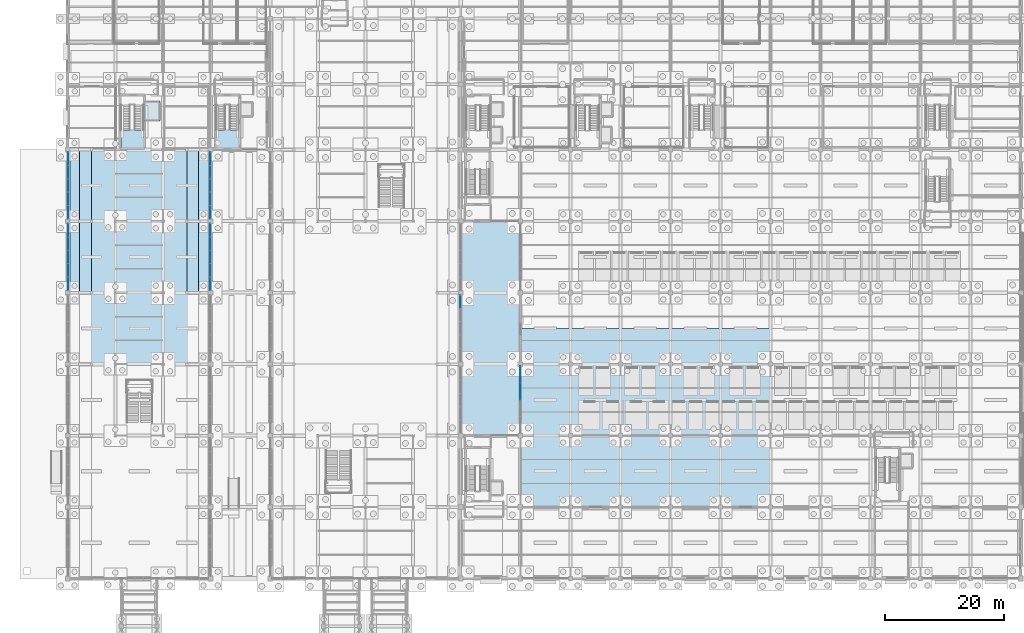
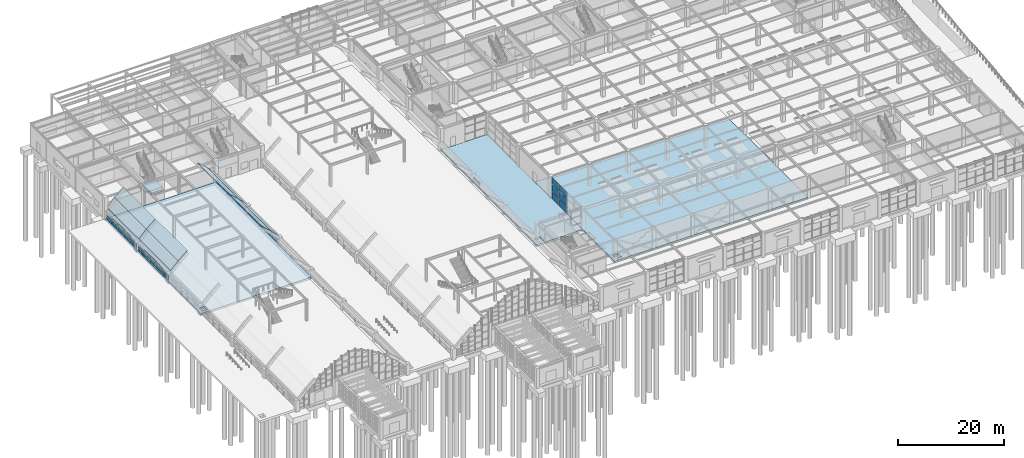
# One storey, part 87 of 129: 47 plates, 14 slabs, 8 elements without a shape of their own.
"""IFC4 building model written with IfcOpenShell, lengths in metres."""

from ifc_helpers import new_model, si_unit, direction, frame, origin, origin_2d, place, context, subcontext, project, spatial, polyline, rectangle, outline, extrude, material, layer, layer_set, type_object, element, aggregate, save


model = new_model("IFC4")

# Units and contexts
model_context = context("Model", 3, precision=1e-05, world=origin(), true_north=direction((0.0, 1.0)))
body_context = subcontext(model_context, "Body", "Model", "MODEL_VIEW")
ifc_project = project(units=[si_unit("LENGTHUNIT", "METRE"), si_unit("AREAUNIT", "SQUARE_METRE"), si_unit("VOLUMEUNIT", "CUBIC_METRE"), si_unit("PLANEANGLEUNIT", "RADIAN"), si_unit("MASSUNIT", "GRAM", prefix="KILO")], contexts=[model_context])

# Site, building, storey
site_placement = place(None, origin())
site = spatial("IfcSite", under=ifc_project, at=site_placement, CompositionType="ELEMENT")
building_placement = place(site_placement, origin())
building = spatial("IfcBuilding", under=site, at=building_placement, Name="Sitalva Quay Ferry Terminal", CompositionType="ELEMENT")
storey_placement = place(building_placement, origin())
storey = spatial("IfcBuildingStorey", under=building, at=storey_placement, Name="L01", CompositionType="ELEMENT", Elevation=0.0)

# Curtain wall, plates
ifc_material_1 = material(Name="Anodised Aluminium & Low-E Glazing", Category="aluminium")
ifc_layer_1 = layer(ifc_material_1, 0.159912109375)
ifc_layer_set_1 = layer_set([ifc_layer_1], Name="Anodised Aluminium & Low-E Glazing")
curtain_wall_type_1 = type_object("IfcCurtainWallType", Name="CW_VaultArch_Glazed", PredefinedType="USERDEFINED", material=ifc_layer_set_1)
curtain_wall_1_placement = place(storey_placement, origin())
curtain_wall_1 = element("IfcCurtainWall", 1, at=curtain_wall_1_placement, inside=storey, type_object=curtain_wall_type_1, Name="V2-W shallow-arch base glazing (CW-L01-024)", ObjectType="CURTAIN_WALL", PredefinedType="USERDEFINED")
ifc_material_2 = material(Name="Clear Low-Iron Arch Glazing", Category="glass")
ifc_layer_2 = layer(ifc_material_2, 0.02587890625)
ifc_layer_set_2 = layer_set([ifc_layer_2], Name="Clear Low-Iron Arch Glazing")
plate_type_1 = type_object("IfcPlateType", Name="Panel_Arch_IGU_26", PredefinedType="CURTAIN_PANEL", material=ifc_layer_set_2)
plate_1_placement = place(storey_placement, frame((8.080078125, 55.52001953125, 0.155029296875), z_axis=(0.0, 0.0, 1.0), x_axis=(0.0, 1.0, 0.0)))
plate_1 = element("IfcPlate", 2, at=plate_1_placement, type_object=plate_type_1, Name="CW-L01-024-P0-0", PredefinedType="CURTAIN_PANEL", context=body_context, shape_type="SweptSolid", body=[
    extrude(rectangle(XDim=2.169921875, YDim=0.02587890625, at=origin_2d()), origin(), (0.0, 0.0, 1.0), 0.544921875),
])
plate_2_placement = place(storey_placement, frame((8.080078125, 55.52001953125, 0.85498046875), z_axis=(0.0, 0.0, 1.0), x_axis=(0.0, 1.0, 0.0)))
plate_2 = element("IfcPlate", 3, at=plate_2_placement, type_object=plate_type_1, Name="CW-L01-024-P0-1", PredefinedType="CURTAIN_PANEL", context=body_context, shape_type="SweptSolid", body=[
    extrude(rectangle(XDim=2.169921875, YDim=0.02587890625, at=origin_2d()), origin(), (0.0, 0.0, 1.0), 0.389892578125),
])
plate_3_placement = place(storey_placement, frame((8.080078125, 57.760009765625, 0.1552734375), z_axis=(0.0, 0.0, 1.0), x_axis=(0.0, 1.0, 0.0)))
plate_3 = element("IfcPlate", 4, at=plate_3_placement, type_object=plate_type_1, Name="CW-L01-024-P1-0", PredefinedType="CURTAIN_PANEL", context=body_context, shape_type="SweptSolid", body=[
    extrude(rectangle(XDim=2.169921875, YDim=0.02587890625, at=origin_2d()), origin(), (0.0, 0.0, 1.0), 0.698486328125),
])
plate_4_placement = place(storey_placement, frame((8.080078125, 57.760009765625, 1.0087890625), z_axis=(0.0, 0.0, 1.0), x_axis=(0.0, 1.0, 0.0)))
plate_4 = element("IfcPlate", 5, at=plate_4_placement, type_object=plate_type_1, Name="CW-L01-024-P1-1", PredefinedType="CURTAIN_PANEL", context=body_context, shape_type="SweptSolid", body=[
    extrude(rectangle(XDim=2.169921875, YDim=0.02587890625, at=origin_2d()), origin(), (0.0, 0.0, 1.0), 0.543701171875),
])
plate_5_placement = place(storey_placement, frame((8.080078125, 60.0, 0.155029296875), z_axis=(0.0, 0.0, 1.0), x_axis=(0.0, 1.0, 0.0)))
plate_5 = element("IfcPlate", 6, at=plate_5_placement, type_object=plate_type_1, Name="CW-L01-024-P2-0", PredefinedType="CURTAIN_PANEL", context=body_context, shape_type="SweptSolid", body=[
    extrude(rectangle(XDim=2.169921875, YDim=0.02587890625, at=origin_2d()), origin(), (0.0, 0.0, 1.0), 0.775390625),
])
plate_6_placement = place(storey_placement, frame((8.080078125, 60.0, 1.08544921875), z_axis=(0.0, 0.0, 1.0), x_axis=(0.0, 1.0, 0.0)))
plate_6 = element("IfcPlate", 7, at=plate_6_placement, type_object=plate_type_1, Name="CW-L01-024-P2-1", PredefinedType="CURTAIN_PANEL", context=body_context, shape_type="SweptSolid", body=[
    extrude(rectangle(XDim=2.169921875, YDim=0.02587890625, at=origin_2d()), origin(), (0.0, 0.0, 1.0), 0.620361328125),
])
plate_7_placement = place(storey_placement, frame((8.080078125, 62.239990234375, 0.1552734375), z_axis=(0.0, 0.0, 1.0), x_axis=(0.0, 1.0, 0.0)))
plate_7 = element("IfcPlate", 8, at=plate_7_placement, type_object=plate_type_1, Name="CW-L01-024-P3-0", PredefinedType="CURTAIN_PANEL", context=body_context, shape_type="SweptSolid", body=[
    extrude(rectangle(XDim=2.169921875, YDim=0.02587890625, at=origin_2d()), origin(), (0.0, 0.0, 1.0), 0.698486328125),
])
plate_8_placement = place(storey_placement, frame((8.080078125, 62.239990234375, 1.0087890625), z_axis=(0.0, 0.0, 1.0), x_axis=(0.0, 1.0, 0.0)))
plate_8 = element("IfcPlate", 9, at=plate_8_placement, type_object=plate_type_1, Name="CW-L01-024-P3-1", PredefinedType="CURTAIN_PANEL", context=body_context, shape_type="SweptSolid", body=[
    extrude(rectangle(XDim=2.169921875, YDim=0.02587890625, at=origin_2d()), origin(), (0.0, 0.0, 1.0), 0.543701171875),
])
plate_9_placement = place(storey_placement, frame((8.080078125, 64.47998046875, 0.155029296875), z_axis=(0.0, 0.0, 1.0), x_axis=(0.0, 1.0, 0.0)))
plate_9 = element("IfcPlate", 10, at=plate_9_placement, type_object=plate_type_1, Name="CW-L01-024-P4-0", PredefinedType="CURTAIN_PANEL", context=body_context, shape_type="SweptSolid", body=[
    extrude(rectangle(XDim=2.169921875, YDim=0.02587890625, at=origin_2d()), origin(), (0.0, 0.0, 1.0), 0.544921875),
])
plate_10_placement = place(storey_placement, frame((8.080078125, 64.47998046875, 0.85498046875), z_axis=(0.0, 0.0, 1.0), x_axis=(0.0, 1.0, 0.0)))
plate_10 = element("IfcPlate", 11, at=plate_10_placement, type_object=plate_type_1, Name="CW-L01-024-P4-1", PredefinedType="CURTAIN_PANEL", context=body_context, shape_type="SweptSolid", body=[
    extrude(rectangle(XDim=2.169921875, YDim=0.02587890625, at=origin_2d()), origin(), (0.0, 0.0, 1.0), 0.389892578125),
])
aggregate(curtain_wall_1, [plate_1, plate_2, plate_3, plate_4, plate_5, plate_6, plate_7, plate_8, plate_9, plate_10])

curtain_wall_2_placement = place(storey_placement, origin())
curtain_wall_2 = element("IfcCurtainWall", 12, at=curtain_wall_2_placement, inside=storey, type_object=curtain_wall_type_1, Name="V2-E shallow-arch base glazing (CW-L01-025)", ObjectType="CURTAIN_WALL", PredefinedType="USERDEFINED")
plate_11_placement = place(storey_placement, frame((31.919921875, 55.52001953125, 0.155029296875), z_axis=(0.0, 0.0, 1.0), x_axis=(0.0, 1.0, 0.0)))
plate_11 = element("IfcPlate", 13, at=plate_11_placement, type_object=plate_type_1, Name="CW-L01-025-P0-0", PredefinedType="CURTAIN_PANEL", context=body_context, shape_type="SweptSolid", body=[
    extrude(rectangle(XDim=2.169921875, YDim=0.02587890625, at=origin_2d()), origin(), (0.0, 0.0, 1.0), 0.544921875),
])
plate_12_placement = place(storey_placement, frame((31.919921875, 55.52001953125, 0.85498046875), z_axis=(0.0, 0.0, 1.0), x_axis=(0.0, 1.0, 0.0)))
plate_12 = element("IfcPlate", 14, at=plate_12_placement, type_object=plate_type_1, Name="CW-L01-025-P0-1", PredefinedType="CURTAIN_PANEL", context=body_context, shape_type="SweptSolid", body=[
    extrude(rectangle(XDim=2.169921875, YDim=0.02587890625, at=origin_2d()), origin(), (0.0, 0.0, 1.0), 0.389892578125),
])
plate_13_placement = place(storey_placement, frame((31.919921875, 57.760009765625, 0.1552734375), z_axis=(0.0, 0.0, 1.0), x_axis=(0.0, 1.0, 0.0)))
plate_13 = element("IfcPlate", 15, at=plate_13_placement, type_object=plate_type_1, Name="CW-L01-025-P1-0", PredefinedType="CURTAIN_PANEL", context=body_context, shape_type="SweptSolid", body=[
    extrude(rectangle(XDim=2.169921875, YDim=0.02587890625, at=origin_2d()), origin(), (0.0, 0.0, 1.0), 0.698486328125),
])
plate_14_placement = place(storey_placement, frame((31.919921875, 57.760009765625, 1.0087890625), z_axis=(0.0, 0.0, 1.0), x_axis=(0.0, 1.0, 0.0)))
plate_14 = element("IfcPlate", 16, at=plate_14_placement, type_object=plate_type_1, Name="CW-L01-025-P1-1", PredefinedType="CURTAIN_PANEL", context=body_context, shape_type="SweptSolid", body=[
    extrude(rectangle(XDim=2.169921875, YDim=0.02587890625, at=origin_2d()), origin(), (0.0, 0.0, 1.0), 0.543701171875),
])
plate_15_placement = place(storey_placement, frame((31.919921875, 60.0, 0.155029296875), z_axis=(0.0, 0.0, 1.0), x_axis=(0.0, 1.0, 0.0)))
plate_15 = element("IfcPlate", 17, at=plate_15_placement, type_object=plate_type_1, Name="CW-L01-025-P2-0", PredefinedType="CURTAIN_PANEL", context=body_context, shape_type="SweptSolid", body=[
    extrude(rectangle(XDim=2.169921875, YDim=0.02587890625, at=origin_2d()), origin(), (0.0, 0.0, 1.0), 0.775390625),
])
plate_16_placement = place(storey_placement, frame((31.919921875, 60.0, 1.08544921875), z_axis=(0.0, 0.0, 1.0), x_axis=(0.0, 1.0, 0.0)))
plate_16 = element("IfcPlate", 18, at=plate_16_placement, type_object=plate_type_1, Name="CW-L01-025-P2-1", PredefinedType="CURTAIN_PANEL", context=body_context, shape_type="SweptSolid", body=[
    extrude(rectangle(XDim=2.169921875, YDim=0.02587890625, at=origin_2d()), origin(), (0.0, 0.0, 1.0), 0.620361328125),
])
plate_17_placement = place(storey_placement, frame((31.919921875, 62.239990234375, 0.1552734375), z_axis=(0.0, 0.0, 1.0), x_axis=(0.0, 1.0, 0.0)))
plate_17 = element("IfcPlate", 19, at=plate_17_placement, type_object=plate_type_1, Name="CW-L01-025-P3-0", PredefinedType="CURTAIN_PANEL", context=body_context, shape_type="SweptSolid", body=[
    extrude(rectangle(XDim=2.169921875, YDim=0.02587890625, at=origin_2d()), origin(), (0.0, 0.0, 1.0), 0.698486328125),
])
plate_18_placement = place(storey_placement, frame((31.919921875, 62.239990234375, 1.0087890625), z_axis=(0.0, 0.0, 1.0), x_axis=(0.0, 1.0, 0.0)))
plate_18 = element("IfcPlate", 20, at=plate_18_placement, type_object=plate_type_1, Name="CW-L01-025-P3-1", PredefinedType="CURTAIN_PANEL", context=body_context, shape_type="SweptSolid", body=[
    extrude(rectangle(XDim=2.169921875, YDim=0.02587890625, at=origin_2d()), origin(), (0.0, 0.0, 1.0), 0.543701171875),
])
plate_19_placement = place(storey_placement, frame((31.919921875, 64.47998046875, 0.155029296875), z_axis=(0.0, 0.0, 1.0), x_axis=(0.0, 1.0, 0.0)))
plate_19 = element("IfcPlate", 21, at=plate_19_placement, type_object=plate_type_1, Name="CW-L01-025-P4-0", PredefinedType="CURTAIN_PANEL", context=body_context, shape_type="SweptSolid", body=[
    extrude(rectangle(XDim=2.169921875, YDim=0.02587890625, at=origin_2d()), origin(), (0.0, 0.0, 1.0), 0.544921875),
])
plate_20_placement = place(storey_placement, frame((31.919921875, 64.47998046875, 0.85498046875), z_axis=(0.0, 0.0, 1.0), x_axis=(0.0, 1.0, 0.0)))
plate_20 = element("IfcPlate", 22, at=plate_20_placement, type_object=plate_type_1, Name="CW-L01-025-P4-1", PredefinedType="CURTAIN_PANEL", context=body_context, shape_type="SweptSolid", body=[
    extrude(rectangle(XDim=2.169921875, YDim=0.02587890625, at=origin_2d()), origin(), (0.0, 0.0, 1.0), 0.389892578125),
])
aggregate(curtain_wall_2, [plate_11, plate_12, plate_13, plate_14, plate_15, plate_16, plate_17, plate_18, plate_19, plate_20])

curtain_wall_3_placement = place(storey_placement, origin())
curtain_wall_3 = element("IfcCurtainWall", 23, at=curtain_wall_3_placement, inside=storey, type_object=curtain_wall_type_1, Name="V2-W shallow-arch base glazing (CW-L01-027)", ObjectType="CURTAIN_WALL", PredefinedType="USERDEFINED")
plate_21_placement = place(storey_placement, frame((8.080078125, 67.52001953125, 0.155029296875), z_axis=(0.0, 0.0, 1.0), x_axis=(0.0, 1.0, 0.0)))
plate_21 = element("IfcPlate", 24, at=plate_21_placement, type_object=plate_type_1, Name="CW-L01-027-P0-0", PredefinedType="CURTAIN_PANEL", context=body_context, shape_type="SweptSolid", body=[
    extrude(rectangle(XDim=2.169921875, YDim=0.02587890625, at=origin_2d()), origin(), (0.0, 0.0, 1.0), 0.544921875),
])
plate_22_placement = place(storey_placement, frame((8.080078125, 67.52001953125, 0.85498046875), z_axis=(0.0, 0.0, 1.0), x_axis=(0.0, 1.0, 0.0)))
plate_22 = element("IfcPlate", 25, at=plate_22_placement, type_object=plate_type_1, Name="CW-L01-027-P0-1", PredefinedType="CURTAIN_PANEL", context=body_context, shape_type="SweptSolid", body=[
    extrude(rectangle(XDim=2.169921875, YDim=0.02587890625, at=origin_2d()), origin(), (0.0, 0.0, 1.0), 0.389892578125),
])
plate_23_placement = place(storey_placement, frame((8.080078125, 69.760009765625, 0.1552734375), z_axis=(0.0, 0.0, 1.0), x_axis=(0.0, 1.0, 0.0)))
plate_23 = element("IfcPlate", 26, at=plate_23_placement, type_object=plate_type_1, Name="CW-L01-027-P1-0", PredefinedType="CURTAIN_PANEL", context=body_context, shape_type="SweptSolid", body=[
    extrude(rectangle(XDim=2.169921875, YDim=0.02587890625, at=origin_2d()), origin(), (0.0, 0.0, 1.0), 0.698486328125),
])
plate_24_placement = place(storey_placement, frame((8.080078125, 69.760009765625, 1.0087890625), z_axis=(0.0, 0.0, 1.0), x_axis=(0.0, 1.0, 0.0)))
plate_24 = element("IfcPlate", 27, at=plate_24_placement, type_object=plate_type_1, Name="CW-L01-027-P1-1", PredefinedType="CURTAIN_PANEL", context=body_context, shape_type="SweptSolid", body=[
    extrude(rectangle(XDim=2.169921875, YDim=0.02587890625, at=origin_2d()), origin(), (0.0, 0.0, 1.0), 0.543701171875),
])
plate_25_placement = place(storey_placement, frame((8.080078125, 72.0, 0.155029296875), z_axis=(0.0, 0.0, 1.0), x_axis=(0.0, 1.0, 0.0)))
plate_25 = element("IfcPlate", 28, at=plate_25_placement, type_object=plate_type_1, Name="CW-L01-027-P2-0", PredefinedType="CURTAIN_PANEL", context=body_context, shape_type="SweptSolid", body=[
    extrude(rectangle(XDim=2.169921875, YDim=0.02587890625, at=origin_2d()), origin(), (0.0, 0.0, 1.0), 0.775390625),
])
plate_26_placement = place(storey_placement, frame((8.080078125, 72.0, 1.08544921875), z_axis=(0.0, 0.0, 1.0), x_axis=(0.0, 1.0, 0.0)))
plate_26 = element("IfcPlate", 29, at=plate_26_placement, type_object=plate_type_1, Name="CW-L01-027-P2-1", PredefinedType="CURTAIN_PANEL", context=body_context, shape_type="SweptSolid", body=[
    extrude(rectangle(XDim=2.169921875, YDim=0.02587890625, at=origin_2d()), origin(), (0.0, 0.0, 1.0), 0.620361328125),
])
plate_27_placement = place(storey_placement, frame((8.080078125, 74.239990234375, 0.1552734375), z_axis=(0.0, 0.0, 1.0), x_axis=(0.0, 1.0, 0.0)))
plate_27 = element("IfcPlate", 30, at=plate_27_placement, type_object=plate_type_1, Name="CW-L01-027-P3-0", PredefinedType="CURTAIN_PANEL", context=body_context, shape_type="SweptSolid", body=[
    extrude(rectangle(XDim=2.169921875, YDim=0.02587890625, at=origin_2d()), origin(), (0.0, 0.0, 1.0), 0.698486328125),
])
plate_28_placement = place(storey_placement, frame((8.080078125, 74.239990234375, 1.0087890625), z_axis=(0.0, 0.0, 1.0), x_axis=(0.0, 1.0, 0.0)))
plate_28 = element("IfcPlate", 31, at=plate_28_placement, type_object=plate_type_1, Name="CW-L01-027-P3-1", PredefinedType="CURTAIN_PANEL", context=body_context, shape_type="SweptSolid", body=[
    extrude(rectangle(XDim=2.169921875, YDim=0.02587890625, at=origin_2d()), origin(), (0.0, 0.0, 1.0), 0.543701171875),
])
plate_29_placement = place(storey_placement, frame((8.080078125, 76.47998046875, 0.155029296875), z_axis=(0.0, 0.0, 1.0), x_axis=(0.0, 1.0, 0.0)))
plate_29 = element("IfcPlate", 32, at=plate_29_placement, type_object=plate_type_1, Name="CW-L01-027-P4-0", PredefinedType="CURTAIN_PANEL", context=body_context, shape_type="SweptSolid", body=[
    extrude(rectangle(XDim=2.169921875, YDim=0.02587890625, at=origin_2d()), origin(), (0.0, 0.0, 1.0), 0.544921875),
])
plate_30_placement = place(storey_placement, frame((8.080078125, 76.47998046875, 0.85498046875), z_axis=(0.0, 0.0, 1.0), x_axis=(0.0, 1.0, 0.0)))
plate_30 = element("IfcPlate", 33, at=plate_30_placement, type_object=plate_type_1, Name="CW-L01-027-P4-1", PredefinedType="CURTAIN_PANEL", context=body_context, shape_type="SweptSolid", body=[
    extrude(rectangle(XDim=2.169921875, YDim=0.02587890625, at=origin_2d()), origin(), (0.0, 0.0, 1.0), 0.389892578125),
])
aggregate(curtain_wall_3, [plate_21, plate_22, plate_23, plate_24, plate_25, plate_26, plate_27, plate_28, plate_29, plate_30])

curtain_wall_4_placement = place(storey_placement, origin())
curtain_wall_4 = element("IfcCurtainWall", 34, at=curtain_wall_4_placement, inside=storey, type_object=curtain_wall_type_1, Name="V2-E shallow-arch base glazing (CW-L01-028)", ObjectType="CURTAIN_WALL", PredefinedType="USERDEFINED")
plate_31_placement = place(storey_placement, frame((31.919921875, 67.52001953125, 0.155029296875), z_axis=(0.0, 0.0, 1.0), x_axis=(0.0, 1.0, 0.0)))
plate_31 = element("IfcPlate", 35, at=plate_31_placement, type_object=plate_type_1, Name="CW-L01-028-P0-0", PredefinedType="CURTAIN_PANEL", context=body_context, shape_type="SweptSolid", body=[
    extrude(rectangle(XDim=2.169921875, YDim=0.02587890625, at=origin_2d()), origin(), (0.0, 0.0, 1.0), 0.544921875),
])
plate_32_placement = place(storey_placement, frame((31.919921875, 67.52001953125, 0.85498046875), z_axis=(0.0, 0.0, 1.0), x_axis=(0.0, 1.0, 0.0)))
plate_32 = element("IfcPlate", 36, at=plate_32_placement, type_object=plate_type_1, Name="CW-L01-028-P0-1", PredefinedType="CURTAIN_PANEL", context=body_context, shape_type="SweptSolid", body=[
    extrude(rectangle(XDim=2.169921875, YDim=0.02587890625, at=origin_2d()), origin(), (0.0, 0.0, 1.0), 0.389892578125),
])
plate_33_placement = place(storey_placement, frame((31.919921875, 69.760009765625, 0.1552734375), z_axis=(0.0, 0.0, 1.0), x_axis=(0.0, 1.0, 0.0)))
plate_33 = element("IfcPlate", 37, at=plate_33_placement, type_object=plate_type_1, Name="CW-L01-028-P1-0", PredefinedType="CURTAIN_PANEL", context=body_context, shape_type="SweptSolid", body=[
    extrude(rectangle(XDim=2.169921875, YDim=0.02587890625, at=origin_2d()), origin(), (0.0, 0.0, 1.0), 0.698486328125),
])
plate_34_placement = place(storey_placement, frame((31.919921875, 69.760009765625, 1.0087890625), z_axis=(0.0, 0.0, 1.0), x_axis=(0.0, 1.0, 0.0)))
plate_34 = element("IfcPlate", 38, at=plate_34_placement, type_object=plate_type_1, Name="CW-L01-028-P1-1", PredefinedType="CURTAIN_PANEL", context=body_context, shape_type="SweptSolid", body=[
    extrude(rectangle(XDim=2.169921875, YDim=0.02587890625, at=origin_2d()), origin(), (0.0, 0.0, 1.0), 0.543701171875),
])
plate_35_placement = place(storey_placement, frame((31.919921875, 72.0, 0.155029296875), z_axis=(0.0, 0.0, 1.0), x_axis=(0.0, 1.0, 0.0)))
plate_35 = element("IfcPlate", 39, at=plate_35_placement, type_object=plate_type_1, Name="CW-L01-028-P2-0", PredefinedType="CURTAIN_PANEL", context=body_context, shape_type="SweptSolid", body=[
    extrude(rectangle(XDim=2.169921875, YDim=0.02587890625, at=origin_2d()), origin(), (0.0, 0.0, 1.0), 0.775390625),
])
plate_36_placement = place(storey_placement, frame((31.919921875, 72.0, 1.08544921875), z_axis=(0.0, 0.0, 1.0), x_axis=(0.0, 1.0, 0.0)))
plate_36 = element("IfcPlate", 40, at=plate_36_placement, type_object=plate_type_1, Name="CW-L01-028-P2-1", PredefinedType="CURTAIN_PANEL", context=body_context, shape_type="SweptSolid", body=[
    extrude(rectangle(XDim=2.169921875, YDim=0.02587890625, at=origin_2d()), origin(), (0.0, 0.0, 1.0), 0.620361328125),
])
plate_37_placement = place(storey_placement, frame((31.919921875, 74.239990234375, 0.1552734375), z_axis=(0.0, 0.0, 1.0), x_axis=(0.0, 1.0, 0.0)))
plate_37 = element("IfcPlate", 41, at=plate_37_placement, type_object=plate_type_1, Name="CW-L01-028-P3-0", PredefinedType="CURTAIN_PANEL", context=body_context, shape_type="SweptSolid", body=[
    extrude(rectangle(XDim=2.169921875, YDim=0.02587890625, at=origin_2d()), origin(), (0.0, 0.0, 1.0), 0.698486328125),
])
plate_38_placement = place(storey_placement, frame((31.919921875, 74.239990234375, 1.0087890625), z_axis=(0.0, 0.0, 1.0), x_axis=(0.0, 1.0, 0.0)))
plate_38 = element("IfcPlate", 42, at=plate_38_placement, type_object=plate_type_1, Name="CW-L01-028-P3-1", PredefinedType="CURTAIN_PANEL", context=body_context, shape_type="SweptSolid", body=[
    extrude(rectangle(XDim=2.169921875, YDim=0.02587890625, at=origin_2d()), origin(), (0.0, 0.0, 1.0), 0.543701171875),
])
plate_39_placement = place(storey_placement, frame((31.919921875, 76.47998046875, 0.155029296875), z_axis=(0.0, 0.0, 1.0), x_axis=(0.0, 1.0, 0.0)))
plate_39 = element("IfcPlate", 43, at=plate_39_placement, type_object=plate_type_1, Name="CW-L01-028-P4-0", PredefinedType="CURTAIN_PANEL", context=body_context, shape_type="SweptSolid", body=[
    extrude(rectangle(XDim=2.169921875, YDim=0.02587890625, at=origin_2d()), origin(), (0.0, 0.0, 1.0), 0.544921875),
])
plate_40_placement = place(storey_placement, frame((31.919921875, 76.47998046875, 0.85498046875), z_axis=(0.0, 0.0, 1.0), x_axis=(0.0, 1.0, 0.0)))
plate_40 = element("IfcPlate", 44, at=plate_40_placement, type_object=plate_type_1, Name="CW-L01-028-P4-1", PredefinedType="CURTAIN_PANEL", context=body_context, shape_type="SweptSolid", body=[
    extrude(rectangle(XDim=2.169921875, YDim=0.02587890625, at=origin_2d()), origin(), (0.0, 0.0, 1.0), 0.389892578125),
])
aggregate(curtain_wall_4, [plate_31, plate_32, plate_33, plate_34, plate_35, plate_36, plate_37, plate_38, plate_39, plate_40])

# Curtain wall, plate
curtain_wall_5_placement = place(storey_placement, origin())
curtain_wall_5 = element("IfcCurtainWall", 45, at=curtain_wall_5_placement, inside=storey, type_object=curtain_wall_type_1, Name="V1-E shallow-arch base glazing (CW-L01-031)", ObjectType="CURTAIN_WALL", PredefinedType="USERDEFINED")
plate_41_placement = place(storey_placement, frame((73.919921875, 52.47998046875, 0.85498046875), z_axis=(0.0, 0.0, 1.0), x_axis=(0.0, 1.0, 0.0)))
plate_41 = element("IfcPlate", 46, at=plate_41_placement, type_object=plate_type_1, Name="CW-L01-031-P4-1", PredefinedType="CURTAIN_PANEL", context=body_context, shape_type="SweptSolid", body=[
    extrude(rectangle(XDim=2.169921875, YDim=0.02587890625, at=origin_2d()), origin(), (0.0, 0.0, 1.0), 0.389892578125),
])
aggregate(curtain_wall_5, [plate_41])

# Curtain wall, plates
ifc_material_3 = material(Name="Anodised Aluminium & Low-E Glazing", Category="aluminium")
ifc_layer_3 = layer(ifc_material_3, 0.159912109375)
ifc_layer_set_3 = layer_set([ifc_layer_3], Name="Anodised Aluminium & Low-E Glazing")
curtain_wall_type_2 = type_object("IfcCurtainWallType", Name="CW_Coastal_Louvred", PredefinedType="USERDEFINED", material=ifc_layer_set_3)
curtain_wall_6_placement = place(storey_placement, origin())
curtain_wall_6 = element("IfcCurtainWall", 47, at=curtain_wall_6_placement, inside=storey, type_object=curtain_wall_type_2, Name="L01 east court louvred wall (CW-L01-076)", ObjectType="CURTAIN_WALL", PredefinedType="USERDEFINED")
ifc_material_4 = material(Name="Insulated Spandrel Cassette", Category="aluminium")
ifc_layer_4 = layer(ifc_material_4, 0.0400390625)
ifc_layer_set_4 = layer_set([ifc_layer_4], Name="Insulated Spandrel Cassette")
plate_type_2 = type_object("IfcPlateType", Name="Panel_Spandrel_Alu_40", PredefinedType="CURTAIN_PANEL", material=ifc_layer_set_4)
plate_42_placement = place(storey_placement, frame((84.0, 37.41259765625, 0.14990234375), z_axis=(0.0, 0.0, 1.0), x_axis=(0.0, 1.0, 0.0)))
plate_42 = element("IfcPlate", 48, at=plate_42_placement, type_object=plate_type_2, Name="CW-L01-076-P2-0", PredefinedType="CURTAIN_PANEL", context=body_context, shape_type="SweptSolid", body=[
    extrude(rectangle(XDim=2.7451171875, YDim=0.0400390625, at=origin_2d()), origin(), (0.0, 0.0, 1.0), 1.543212890625),
])
plate_43_placement = place(storey_placement, frame((84.0, 37.41259765625, 1.84326171875), z_axis=(0.0, 0.0, 1.0), x_axis=(0.0, 1.0, 0.0)))
plate_43 = element("IfcPlate", 49, at=plate_43_placement, type_object=plate_type_2, Name="CW-L01-076-P2-1", PredefinedType="CURTAIN_PANEL", context=body_context, shape_type="SweptSolid", body=[
    extrude(rectangle(XDim=2.7451171875, YDim=0.0400390625, at=origin_2d()), origin(), (0.0, 0.0, 1.0), 1.543212890625),
])
plate_44_placement = place(storey_placement, frame((84.0, 37.41259765625, 3.53662109375), z_axis=(0.0, 0.0, 1.0), x_axis=(0.0, 1.0, 0.0)))
plate_44 = element("IfcPlate", 50, at=plate_44_placement, type_object=plate_type_2, Name="CW-L01-076-P2-2", PredefinedType="CURTAIN_PANEL", context=body_context, shape_type="SweptSolid", body=[
    extrude(rectangle(XDim=2.7451171875, YDim=0.0400390625, at=origin_2d()), origin(), (0.0, 0.0, 1.0), 1.393310546875),
])
plate_45_placement = place(storey_placement, frame((84.0, 40.237548828125, 0.14990234375), z_axis=(0.0, 0.0, 1.0), x_axis=(0.0, 1.0, 0.0)))
plate_45 = element("IfcPlate", 51, at=plate_45_placement, type_object=plate_type_2, Name="CW-L01-076-P3-0", PredefinedType="CURTAIN_PANEL", context=body_context, shape_type="SweptSolid", body=[
    extrude(rectangle(XDim=2.7451171875, YDim=0.0400390625, at=origin_2d()), origin(), (0.0, 0.0, 1.0), 1.543212890625),
])
plate_46_placement = place(storey_placement, frame((84.0, 40.237548828125, 1.84326171875), z_axis=(0.0, 0.0, 1.0), x_axis=(0.0, 1.0, 0.0)))
plate_46 = element("IfcPlate", 52, at=plate_46_placement, type_object=plate_type_2, Name="CW-L01-076-P3-1", PredefinedType="CURTAIN_PANEL", context=body_context, shape_type="SweptSolid", body=[
    extrude(rectangle(XDim=2.7451171875, YDim=0.0400390625, at=origin_2d()), origin(), (0.0, 0.0, 1.0), 1.543212890625),
])
plate_47_placement = place(storey_placement, frame((84.0, 40.237548828125, 3.53662109375), z_axis=(0.0, 0.0, 1.0), x_axis=(0.0, 1.0, 0.0)))
plate_47 = element("IfcPlate", 53, at=plate_47_placement, type_object=plate_type_2, Name="CW-L01-076-P3-2", PredefinedType="CURTAIN_PANEL", context=body_context, shape_type="SweptSolid", body=[
    extrude(rectangle(XDim=2.7451171875, YDim=0.0400390625, at=origin_2d()), origin(), (0.0, 0.0, 1.0), 1.393310546875),
])
aggregate(curtain_wall_6, [plate_42, plate_43, plate_44, plate_45, plate_46, plate_47])

# Slabs
ifc_material_5 = material(Name="Concrete C35/45", Category="concrete")
ifc_layer_5 = layer(ifc_material_5, 0.5)
ifc_layer_set_5 = layer_set([ifc_layer_5], Name="Concrete C35/45")
slab_type_1 = type_object("IfcSlabType", Name="Slab_ApronHeavy_500", PredefinedType="BASESLAB", material=ifc_layer_set_5)
slab_1_placement = place(storey_placement, frame((0.0, 0.0, -0.5)))
element("IfcSlab", 54, at=slab_1_placement, inside=storey, type_object=slab_type_1, Name="L01 Ro-Ro deck SW base 018", PredefinedType="BASESLAB", context=body_context, shape_type="SweptSolid", body=[
    extrude(outline(polyline([(84.0, 18.0), (126.0, 18.0), (126.0, 48.0), (84.0, 48.0), (84.0, 18.0)]), holes=[polyline([(84.64990234375, 18.64990234375), (84.64990234375, 19.800048828125), (85.800048828125, 19.800048828125), (85.800048828125, 18.64990234375), (84.64990234375, 18.64990234375)])]), origin(), (0.0, 0.0, 1.0), 0.5),
])
ifc_material_6 = material(Name="Concrete C35/45", Category="concrete")
ifc_layer_6 = layer(ifc_material_6, 0.419921875)
ifc_layer_set_6 = layer_set([ifc_layer_6], Name="Concrete C35/45")
slab_type_2 = type_object("IfcSlabType", Name="Slab_LiftPit_420", PredefinedType="BASESLAB", material=ifc_layer_set_6)
slab_2_placement = place(storey_placement, frame((0.0, 0.0, -2.02001953125)))
element("IfcSlab", 55, at=slab_2_placement, inside=storey, type_object=slab_type_2, Name="Lift LF-08 pit base slab", PredefinedType="BASESLAB", context=body_context, shape_type="SweptSolid", body=[
    extrude(outline(polyline([(20.800048828125, 82.85009765625), (23.5, 82.85009765625), (23.5, 86.14990234375), (20.800048828125, 86.14990234375), (20.800048828125, 82.85009765625)])), origin(), (0.0, 0.0, 1.0), 0.419921875),
])
ifc_material_7 = material(Name="Concrete C40/50", Category="concrete")
ifc_layer_7 = layer(ifc_material_7, 0.159912109375)
ifc_layer_set_7 = layer_set([ifc_layer_7], Name="Concrete C40/50")
slab_type_3 = type_object("IfcSlabType", Name="Slab_PointedVaultShell_160", PredefinedType="ROOF", material=ifc_layer_set_7)
slab_3_placement = place(storey_placement, frame((8.3798828125, 54.0, 2.494140625), z_axis=(-0.71995626628, 0.0, 0.69401943391), x_axis=(0.69401943391, 0.0, 0.71995626628)))
element("IfcSlab", 56, at=slab_3_placement, inside=storey, type_object=slab_type_3, Name="Vault V2 pointed shell facet B5-F1", PredefinedType="ROOF", context=body_context, shape_type="SweptSolid", body=[
    extrude(outline(polyline([(0.0, 0.0), (2.3343974366443936, 0.0), (2.3343974366443936, 12.0), (0.0, 12.0), (0.0, 0.0)])), origin(), (-0.71995626628, 0.0, -0.69401943391), 0.23046875),
])
slab_4_placement = place(storey_placement, frame((10.0, 54.0, 4.1748046875), z_axis=(-0.648338785368, 0.0, 0.761351968138), x_axis=(0.761351968138, 0.0, 0.648338785368)))
element("IfcSlab", 57, at=slab_4_placement, inside=storey, type_object=slab_type_3, Name="Vault V2 pointed shell facet B5-F2", PredefinedType="ROOF", context=body_context, shape_type="SweptSolid", body=[
    extrude(outline(polyline([(0.0, 0.0), (2.6269059301057966, 0.0), (2.6269059301057966, 12.0), (0.0, 12.0), (0.0, 0.0)])), origin(), (-0.648338785368, 0.0, -0.761351968138), 0.210205078125),
])
slab_5_placement = place(storey_placement, frame((28.0, 54.0, 5.8779296875), z_axis=(0.648338785368, 0.0, 0.761351968138), x_axis=(0.761351968138, 0.0, -0.648338785368)))
element("IfcSlab", 58, at=slab_5_placement, inside=storey, type_object=slab_type_3, Name="Vault V2 pointed shell facet B5-F11", PredefinedType="ROOF", context=body_context, shape_type="SweptSolid", body=[
    extrude(outline(polyline([(0.0, 0.0), (2.6269059301057966, 0.0), (2.6269059301057966, 12.0), (0.0, 12.0), (0.0, 0.0)])), origin(), (0.648338785368, 0.0, -0.761351968138), 0.210205078125),
])
slab_6_placement = place(storey_placement, frame((30.0, 54.0, 4.1748046875), z_axis=(0.71995626628, 0.0, 0.69401943391), x_axis=(0.69401943391, 0.0, -0.71995626628)))
element("IfcSlab", 59, at=slab_6_placement, inside=storey, type_object=slab_type_3, Name="Vault V2 pointed shell facet B5-F12", PredefinedType="ROOF", context=body_context, shape_type="SweptSolid", body=[
    extrude(outline(polyline([(0.0, 0.0), (2.3343974366443936, 0.0), (2.3343974366443936, 12.0), (0.0, 12.0), (0.0, 0.0)])), origin(), (0.71995626628, 0.0, -0.69401943391), 0.23046875),
])
slab_7_placement = place(storey_placement, frame((8.3798828125, 66.0, 2.494140625), z_axis=(-0.71995626628, 0.0, 0.69401943391), x_axis=(0.69401943391, 0.0, 0.71995626628)))
element("IfcSlab", 60, at=slab_7_placement, inside=storey, type_object=slab_type_3, Name="Vault V2 pointed shell facet B6-F1", PredefinedType="ROOF", context=body_context, shape_type="SweptSolid", body=[
    extrude(outline(polyline([(0.0, 0.0), (2.3343974366443936, 0.0), (2.3343974366443936, 12.0), (0.0, 12.0), (0.0, 0.0)])), origin(), (-0.71995626628, 0.0, -0.69401943391), 0.23046875),
])
slab_8_placement = place(storey_placement, frame((10.0, 66.0, 4.1748046875), z_axis=(-0.648338785368, 0.0, 0.761351968138), x_axis=(0.761351968138, 0.0, 0.648338785368)))
element("IfcSlab", 61, at=slab_8_placement, inside=storey, type_object=slab_type_3, Name="Vault V2 pointed shell facet B6-F2", PredefinedType="ROOF", context=body_context, shape_type="SweptSolid", body=[
    extrude(outline(polyline([(0.0, 0.0), (2.6269059301057966, 0.0), (2.6269059301057966, 12.0), (0.0, 12.0), (0.0, 0.0)])), origin(), (-0.648338785368, 0.0, -0.761351968138), 0.210205078125),
])
slab_9_placement = place(storey_placement, frame((28.0, 66.0, 5.8779296875), z_axis=(0.648338785368, 0.0, 0.761351968138), x_axis=(0.761351968138, 0.0, -0.648338785368)))
element("IfcSlab", 62, at=slab_9_placement, inside=storey, type_object=slab_type_3, Name="Vault V2 pointed shell facet B6-F11", PredefinedType="ROOF", context=body_context, shape_type="SweptSolid", body=[
    extrude(outline(polyline([(0.0, 0.0), (2.6269059301057966, 0.0), (2.6269059301057966, 12.0), (0.0, 12.0), (0.0, 0.0)])), origin(), (0.648338785368, 0.0, -0.761351968138), 0.210205078125),
])
slab_10_placement = place(storey_placement, frame((30.0, 66.0, 4.1748046875), z_axis=(0.71995626628, 0.0, 0.69401943391), x_axis=(0.69401943391, 0.0, -0.71995626628)))
element("IfcSlab", 63, at=slab_10_placement, inside=storey, type_object=slab_type_3, Name="Vault V2 pointed shell facet B6-F12", PredefinedType="ROOF", context=body_context, shape_type="SweptSolid", body=[
    extrude(outline(polyline([(0.0, 0.0), (2.3343974366443936, 0.0), (2.3343974366443936, 12.0), (0.0, 12.0), (0.0, 0.0)])), origin(), (0.71995626628, 0.0, -0.69401943391), 0.23046875),
])
ifc_material_8 = material(Name="Concrete C35/45", Category="concrete")
ifc_layer_8 = layer(ifc_material_8, 0.449951171875)
ifc_layer_set_8 = layer_set([ifc_layer_8], Name="Concrete C35/45")
slab_type_4 = type_object("IfcSlabType", Name="Slab_QuayBase_450", PredefinedType="BASESLAB", material=ifc_layer_set_8)
slab_11_placement = place(storey_placement, frame((0.0, 0.0, -0.449951171875)))
element("IfcSlab", 64, at=slab_11_placement, inside=storey, type_object=slab_type_4, Name="L01 East monsoon courtyard base 009", PredefinedType="BASESLAB", context=body_context, shape_type="SweptSolid", body=[
    extrude(outline(polyline([(74.0, 30.0), (84.0, 30.0), (84.0, 66.0), (74.0, 66.0), (74.0, 30.0)]), holes=[polyline([(74.64990234375, 30.64990234375), (74.64990234375, 31.800048828125), (75.800048828125, 31.800048828125), (75.800048828125, 30.64990234375), (74.64990234375, 30.64990234375)])]), origin(), (0.0, 0.0, 1.0), 0.449951171875),
])
slab_12_placement = place(storey_placement, frame((0.0, 0.0, -0.449951171875)))
element("IfcSlab", 65, at=slab_12_placement, inside=storey, type_object=slab_type_4, Name="L01 Arrivals hall north base 011", PredefinedType="BASESLAB", context=body_context, shape_type="SweptSolid", body=[
    extrude(outline(polyline([(8.0, 42.0), (32.0, 42.0), (32.0, 78.0), (8.0, 78.0), (8.0, 42.0)]), holes=[polyline([(8.64990234375, 42.64990234375), (8.64990234375, 43.800048828125), (9.800048828125, 43.800048828125), (9.800048828125, 42.64990234375), (8.64990234375, 42.64990234375)])]), origin(), (0.0, 0.0, 1.0), 0.449951171875),
])

# Stair, slab
ifc_material_9 = material(Name="Concrete C35/45", Category="concrete")
stair_type = type_object("IfcStairType", Name="Stair_CoreDogLeg_1400", PredefinedType="HALF_TURN_STAIR", material=ifc_material_9)
stair_1_placement = place(storey_placement, origin())
stair_1 = element("IfcStair", 66, at=stair_1_placement, inside=storey, type_object=stair_type, Name="L01 Core C3 stair ST-03", PredefinedType="HALF_TURN_STAIR")
ifc_material_10 = material(Name="Concrete C35/45", Category="concrete")
ifc_layer_9 = layer(ifc_material_10, 0.199951171875)
ifc_layer_set_9 = layer_set([ifc_layer_9], Name="Concrete C35/45")
slab_type_5 = type_object("IfcSlabType", Name="Slab_StairLanding_200", PredefinedType="LANDING", material=ifc_layer_set_9)
slab_13_placement = place(storey_placement, frame((0.0, 0.0, 2.5)))
slab_13 = element("IfcSlab", 67, at=slab_13_placement, type_object=slab_type_5, Name="ST-03 landing 1", PredefinedType="LANDING", context=body_context, shape_type="SweptSolid", body=[
    extrude(outline(polyline([(16.919921875, 81.320068359375), (16.919921875, 78.320068359375), (20.780029296875, 78.320068359375), (20.780029296875, 81.320068359375), (16.919921875, 81.320068359375)])), origin(), (0.0, 0.0, 1.0), 0.199951171875),
])
aggregate(stair_1, [slab_13])

stair_2_placement = place(storey_placement, origin())
stair_2 = element("IfcStair", 68, at=stair_2_placement, inside=storey, type_object=stair_type, Name="L01 Core C5 stair ST-05", PredefinedType="HALF_TURN_STAIR")
slab_14_placement = place(storey_placement, frame((0.0, 0.0, 2.5)))
slab_14 = element("IfcSlab", 69, at=slab_14_placement, type_object=slab_type_5, Name="ST-05 landing 1", PredefinedType="LANDING", context=body_context, shape_type="SweptSolid", body=[
    extrude(outline(polyline([(32.919921875, 81.320068359375), (32.919921875, 78.320068359375), (36.780029296875, 78.320068359375), (36.780029296875, 81.320068359375), (32.919921875, 81.320068359375)])), origin(), (0.0, 0.0, 1.0), 0.199951171875),
])
aggregate(stair_2, [slab_14])

save(model, "model.ifc")
